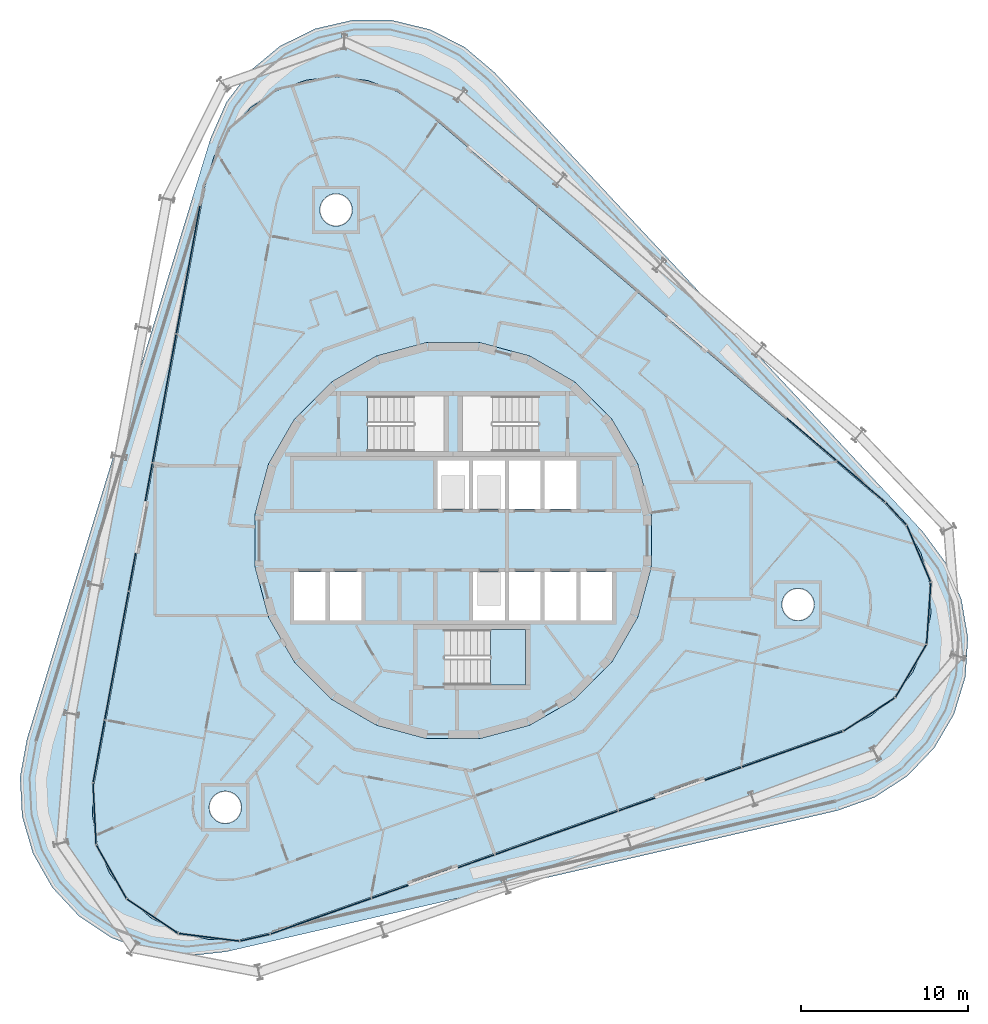
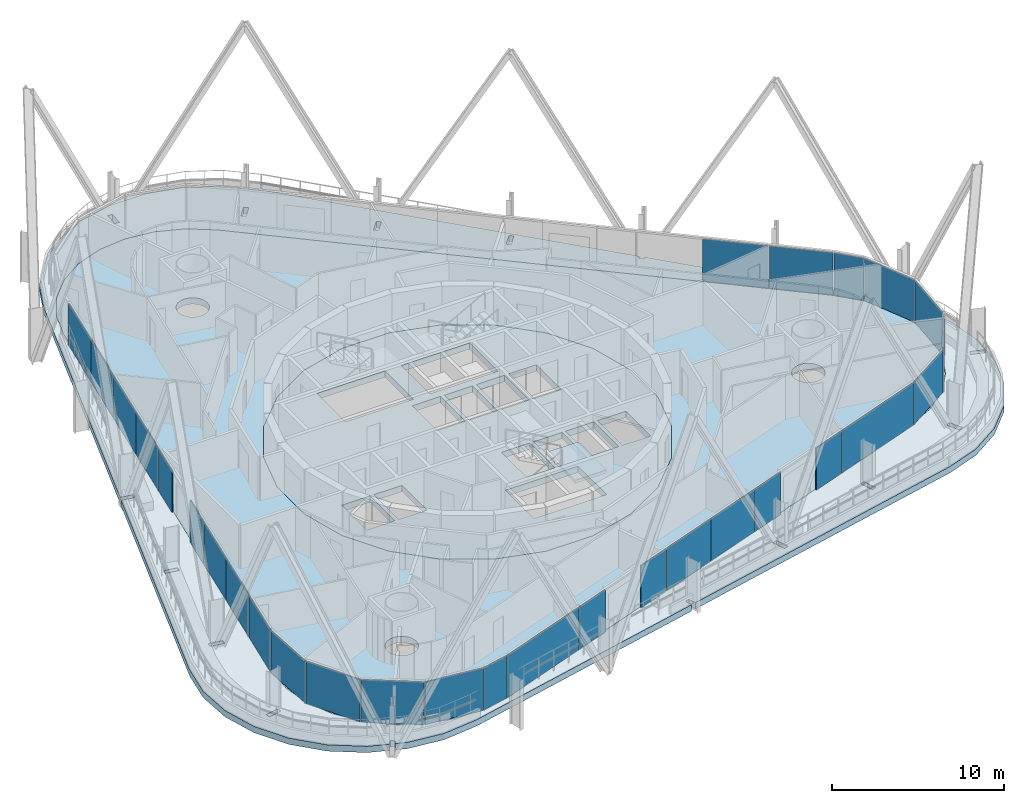
# One storey, part 9 of 25: 29 plates, 4 slabs, 6 elements without a shape of their own.
"""IFC4 building model written with IfcOpenShell, lengths in metres."""

from ifc_helpers import new_model, si_unit, direction, frame, origin, origin_2d, place, context, subcontext, project, spatial, polyline, rectangle, outline, extrude, material, layer, layer_set, type_object, element, aggregate, save


model = new_model("IFC4")

# Units and contexts
model_context = context("Model", 3, precision=1e-05, world=origin(), true_north=direction((0.0, 1.0)))
body_context = subcontext(model_context, "Body", "Model", "MODEL_VIEW")
ifc_project = project(units=[si_unit("LENGTHUNIT", "METRE"), si_unit("AREAUNIT", "SQUARE_METRE"), si_unit("VOLUMEUNIT", "CUBIC_METRE"), si_unit("PLANEANGLEUNIT", "RADIAN"), si_unit("MASSUNIT", "GRAM", prefix="KILO")], contexts=[model_context])

# Site, building, storey
site_placement = place(None, origin())
site = spatial("IfcSite", under=ifc_project, at=site_placement, CompositionType="ELEMENT")
building_placement = place(site_placement, origin())
building = spatial("IfcBuilding", under=site, at=building_placement, Name="Spindle Arch Residences", CompositionType="ELEMENT")
storey_placement = place(building_placement, frame((0.0, 0.0, 151.699951171875)))
storey = spatial("IfcBuildingStorey", under=building, at=storey_placement, Name="L37", CompositionType="ELEMENT", Elevation=151.699951171875)

# Slabs
ifc_material_1 = material(Name="Concrete C40/50", Category="concrete")
ifc_layer_1 = layer(ifc_material_1, 0.449951171875)
ifc_layer_set_1 = layer_set([ifc_layer_1], Name="Compartment floor slab 450")
slab_type_1 = type_object("IfcSlabType", Name="Compartment floor slab 450", PredefinedType="FLOOR", material=ifc_layer_set_1)
slab_1_placement = place(storey_placement, frame((0.0, 0.0, -0.449951171875)))
element("IfcSlab", 1, at=slab_1_placement, inside=storey, type_object=slab_type_1, Name="Floor slab L37", PredefinedType="FLOOR", context=body_context, shape_type="SweptSolid", body=[
    extrude(outline(polyline([(-12.82177734375, -23.972412109375), (-14.67919921875, -23.9560546875), (-16.48291015625, -23.511962890625), (-18.135498046875, -22.663818359375), (-19.5478515625, -21.45751953125), (-20.64404296875, -19.9580078125), (-21.36474609375, -18.24609375), (-21.67138671875, -16.4140625), (-21.547119140625, -14.560791015625), (-14.89794921875, 21.3154296875), (-14.349609375, 23.090087890625), (-13.406982421875, 24.690673828125), (-12.12060546875, 26.030517578125), (-10.559814453125, 27.03759765625), (-8.808837890625, 27.65771484375), (-6.962158203125, 27.857421875), (-5.119140625, 27.62548828125), (-3.37939453125, 26.97509765625), (-1.83642578125, 25.94091796875), (25.90869140625, 2.244384765625), (27.171630859375, 0.882080078125), (28.086181640625, -0.734619140625), (28.603515625, -2.5185546875), (28.6953125, -4.373779296875), (28.356689453125, -6.2001953125), (27.606201171875, -7.8994140625), (26.48388671875, -9.37939453125), (25.05078125, -10.56103515625), (23.383544921875, -11.380126953125), (6.186279296875, -17.469970703125), (-11.0107421875, -23.559814453125), (-12.82177734375, -23.972412109375)]), holes=[polyline([(7.30517578125, -9.520263671875), (9.520263671875, -7.30517578125), (11.086669921875, -4.59228515625), (11.897216796875, -1.56640625), (11.897216796875, 1.56640625), (11.086669921875, 4.59228515625), (9.520263671875, 7.30517578125), (7.30517578125, 9.520263671875), (4.59228515625, 11.086669921875), (1.56640625, 11.897216796875), (-1.56640625, 11.897216796875), (-4.59228515625, 11.086669921875), (-7.30517578125, 9.520263671875), (-9.520263671875, 7.30517578125), (-11.086669921875, 4.59228515625), (-11.897216796875, 1.56640625), (-11.897216796875, -1.56640625), (-11.086669921875, -4.59228515625), (-9.520263671875, -7.30517578125), (-7.30517578125, -9.520263671875), (-4.59228515625, -11.086669921875), (-1.56640625, -11.897216796875), (1.56640625, -11.897216796875), (4.59228515625, -11.086669921875), (7.30517578125, -9.520263671875)]), polyline([(-12.99169921875, -16.7080078125), (-12.87060546875, -16.560302734375), (-12.780517578125, -16.3916015625), (-12.724853515625, -16.208740234375), (-12.706298828125, -16.0185546875), (-12.724853515625, -15.828369140625), (-12.780517578125, -15.6455078125), (-12.87060546875, -15.476806640625), (-12.99169921875, -15.3291015625), (-13.139404296875, -15.2080078125), (-13.30810546875, -15.117919921875), (-13.490966796875, -15.062255859375), (-13.68115234375, -15.043701171875), (-13.871337890625, -15.062255859375), (-14.05419921875, -15.117919921875), (-14.222900390625, -15.2080078125), (-14.37060546875, -15.3291015625), (-14.491943359375, -15.476806640625), (-14.58203125, -15.6455078125), (-14.637451171875, -15.828369140625), (-14.65625, -16.0185546875), (-14.637451171875, -16.208740234375), (-14.58203125, -16.3916015625), (-14.491943359375, -16.560302734375), (-14.37060546875, -16.7080078125), (-14.222900390625, -16.829345703125), (-14.05419921875, -16.91943359375), (-13.871337890625, -16.974853515625), (-13.68115234375, -16.99365234375), (-13.490966796875, -16.974853515625), (-13.30810546875, -16.91943359375), (-13.139404296875, -16.829345703125), (-12.99169921875, -16.7080078125)]), polyline([(-6.22119140625, 19.31591796875), (-6.131103515625, 19.484619140625), (-6.07568359375, 19.66748046875), (-6.056884765625, 19.857666015625), (-6.07568359375, 20.0478515625), (-6.131103515625, 20.230712890625), (-6.22119140625, 20.3994140625), (-6.342529296875, 20.547119140625), (-6.490234375, 20.668212890625), (-6.65869140625, 20.75830078125), (-6.841796875, 20.81396484375), (-7.031982421875, 20.83251953125), (-7.22216796875, 20.81396484375), (-7.405029296875, 20.75830078125), (-7.573486328125, 20.668212890625), (-7.72119140625, 20.547119140625), (-7.842529296875, 20.3994140625), (-7.9326171875, 20.230712890625), (-7.98828125, 20.0478515625), (-8.0068359375, 19.857666015625), (-7.98828125, 19.66748046875), (-7.9326171875, 19.484619140625), (-7.842529296875, 19.31591796875), (-7.72119140625, 19.168212890625), (-7.573486328125, 19.046875), (-7.405029296875, 18.956787109375), (-7.22216796875, 18.9013671875), (-7.031982421875, 18.882568359375), (-6.841796875, 18.9013671875), (-6.65869140625, 18.956787109375), (-6.490234375, 19.046875), (-6.342529296875, 19.168212890625), (-6.22119140625, 19.31591796875)]), polyline([(21.523681640625, -4.380615234375), (21.614013671875, -4.212158203125), (21.66943359375, -4.029296875), (21.68798828125, -3.839111328125), (21.66943359375, -3.648681640625), (21.614013671875, -3.4658203125), (21.523681640625, -3.29736328125), (21.402587890625, -3.149658203125), (21.2548828125, -3.0283203125), (21.086181640625, -2.938232421875), (20.9033203125, -2.8828125), (20.713134765625, -2.864013671875), (20.52294921875, -2.8828125), (20.340087890625, -2.938232421875), (20.17138671875, -3.0283203125), (20.023681640625, -3.149658203125), (19.90234375, -3.29736328125), (19.812255859375, -3.4658203125), (19.7568359375, -3.648681640625), (19.738037109375, -3.839111328125), (19.7568359375, -4.029296875), (19.812255859375, -4.212158203125), (19.90234375, -4.380615234375), (20.023681640625, -4.5283203125), (20.17138671875, -4.649658203125), (20.340087890625, -4.73974609375), (20.52294921875, -4.79541015625), (20.713134765625, -4.81396484375), (20.9033203125, -4.79541015625), (21.086181640625, -4.73974609375), (21.2548828125, -4.649658203125), (21.402587890625, -4.5283203125), (21.523681640625, -4.380615234375)])]), origin(), (0.0, 0.0, 1.0), 0.449951171875),
])
ifc_material_2 = material(Name="Concrete C50/60", Category="concrete")
ifc_layer_2 = layer(ifc_material_2, 0.449951171875)
ifc_layer_set_2 = layer_set([ifc_layer_2], Name="Core floor slab 450")
slab_type_2 = type_object("IfcSlabType", Name="Core floor slab 450", PredefinedType="FLOOR", material=ifc_layer_set_2)
slab_2_placement = place(storey_placement, frame((0.0, 0.0, -0.449951171875)))
element("IfcSlab", 2, at=slab_2_placement, inside=storey, type_object=slab_type_2, Name="Core floor L37", PredefinedType="FLOOR", context=body_context, shape_type="SweptSolid", body=[
    extrude(outline(polyline([(1.56640625, -11.897216796875), (4.59228515625, -11.086669921875), (7.30517578125, -9.520263671875), (9.520263671875, -7.30517578125), (11.086669921875, -4.59228515625), (11.897216796875, -1.56640625), (11.897216796875, 1.56640625), (11.086669921875, 4.59228515625), (9.520263671875, 7.30517578125), (7.30517578125, 9.520263671875), (4.59228515625, 11.086669921875), (1.56640625, 11.897216796875), (-1.56640625, 11.897216796875), (-4.59228515625, 11.086669921875), (-7.30517578125, 9.520263671875), (-9.520263671875, 7.30517578125), (-11.086669921875, 4.59228515625), (-11.897216796875, 1.56640625), (-11.897216796875, -1.56640625), (-11.086669921875, -4.59228515625), (-9.520263671875, -7.30517578125), (-7.30517578125, -9.520263671875), (-4.59228515625, -11.086669921875), (-1.56640625, -11.897216796875), (1.56640625, -11.897216796875)]), holes=[polyline([(-0.949951171875, 1.89990234375), (0.949951171875, 1.89990234375), (0.949951171875, 4.800048828125), (-0.949951171875, 4.800048828125), (-0.949951171875, 1.89990234375)]), polyline([(1.199951171875, 1.89990234375), (3.10009765625, 1.89990234375), (3.10009765625, 4.800048828125), (1.199951171875, 4.800048828125), (1.199951171875, 1.89990234375)]), polyline([(3.35009765625, 1.89990234375), (5.25, 1.89990234375), (5.25, 4.800048828125), (3.35009765625, 4.800048828125), (3.35009765625, 1.89990234375)]), polyline([(5.5, 1.89990234375), (7.39990234375, 1.89990234375), (7.39990234375, 4.800048828125), (5.5, 4.800048828125), (5.5, 1.89990234375)]), polyline([(-9.550048828125, -4.800048828125), (-7.64990234375, -4.800048828125), (-7.64990234375, -1.89990234375), (-9.550048828125, -1.89990234375), (-9.550048828125, -4.800048828125)]), polyline([(-7.39990234375, -4.800048828125), (-5.5, -4.800048828125), (-5.5, -1.89990234375), (-7.39990234375, -1.89990234375), (-7.39990234375, -4.800048828125)]), polyline([(1.199951171875, -4.800048828125), (3.10009765625, -4.800048828125), (3.10009765625, -1.89990234375), (1.199951171875, -1.89990234375), (1.199951171875, -4.800048828125)]), polyline([(3.35009765625, -4.800048828125), (5.25, -4.800048828125), (5.25, -1.89990234375), (3.35009765625, -1.89990234375), (3.35009765625, -4.800048828125)]), polyline([(5.5, -4.800048828125), (7.39990234375, -4.800048828125), (7.39990234375, -1.89990234375), (5.5, -1.89990234375), (5.5, -4.800048828125)]), polyline([(7.64990234375, -4.800048828125), (9.550048828125, -4.800048828125), (9.550048828125, -1.89990234375), (7.64990234375, -1.89990234375), (7.64990234375, -4.800048828125)]), polyline([(5.1298828125, 8.669921875), (0.550048828125, 8.669921875), (0.550048828125, 5.35009765625), (5.1298828125, 5.35009765625), (5.1298828125, 8.669921875)]), polyline([(-5.1298828125, 5.35009765625), (-0.550048828125, 5.35009765625), (-0.550048828125, 8.669921875), (-5.1298828125, 8.669921875), (-5.1298828125, 5.35009765625)]), polyline([(-0.530029296875, -8.669921875), (4.35009765625, -8.669921875), (4.35009765625, -5.35009765625), (-0.530029296875, -5.35009765625), (-0.530029296875, -8.669921875)])]), origin(), (0.0, 0.0, 1.0), 0.449951171875),
])

# Stair, slab
ifc_material_3 = material(Name="Concrete C50/60", Category="concrete")
stair_type = type_object("IfcStairType", Name="Exit stair 16 risers", PredefinedType="HALF_TURN_STAIR", material=ifc_material_3)
stair_placement = place(storey_placement, origin())
stair = element("IfcStair", 3, at=stair_placement, inside=storey, type_object=stair_type, Name="L37 Exit stair ST3", PredefinedType="HALF_TURN_STAIR")
ifc_material_4 = material(Name="Concrete C50/60", Category="concrete")
ifc_layer_3 = layer(ifc_material_4, 0.219970703125)
ifc_layer_set_3 = layer_set([ifc_layer_3], Name="Exit stair landing 220")
slab_type_3 = type_object("IfcSlabType", Name="Exit stair landing 220", PredefinedType="LANDING", material=ifc_layer_set_3)
slab_3_placement = place(storey_placement, frame((0.0, 0.0, 1.530029296875)))
slab_3 = element("IfcSlab", 4, at=slab_3_placement, type_object=slab_type_3, Name="ST3 landing 1", PredefinedType="LANDING", context=body_context, shape_type="SweptSolid", body=[
    extrude(outline(polyline([(2.22998046875, -8.669921875), (4.35009765625, -8.669921875), (4.35009765625, -5.35009765625), (2.22998046875, -5.35009765625), (2.22998046875, -8.669921875)])), origin(), (0.0, 0.0, 1.0), 0.219970703125),
])
aggregate(stair, [slab_3])

# Slab
ifc_material_5 = material(Name="Concrete C40/50", Category="concrete")
ifc_layer_4 = layer(ifc_material_5, 0.449951171875)
ifc_layer_set_4 = layer_set([ifc_layer_4], Name="Terrace slab 450")
slab_type_4 = type_object("IfcSlabType", Name="Terrace slab 450", PredefinedType="FLOOR", material=ifc_layer_set_4)
slab_4_placement = place(storey_placement, frame((0.0, 0.0, -0.449951171875)))
element("IfcSlab", 5, at=slab_4_placement, inside=storey, type_object=slab_type_4, Name="Terrace slab L36", PredefinedType="FLOOR", context=body_context, shape_type="SweptSolid", body=[
    extrude(outline(polyline([(-15.989013671875, -24.955078125), (-18.316650390625, -24.669189453125), (-18.9755859375, -24.4248046875), (-18.821044921875, -24.187255859375), (-19.072509765625, -24.023681640625), (-19.26416015625, -24.318115234375), (-20.515380859375, -23.854248046875), (-22.46728515625, -22.55419921875), (-24.066650390625, -20.839111328125), (-25.227294921875, -18.801513671875), (-25.88671875, -16.551025390625), (-26.009521484375, -14.209228515625), (-25.5888671875, -11.902099609375), (-20.431640625, 4.966552734375), (-19.633544921875, 4.818603515625), (-19.578857421875, 5.113525390625), (-20.34326171875, 5.25537109375), (-14.55859375, 24.176513671875), (-13.6171875, 26.32421875), (-12.205810546875, 28.197265625), (-10.400634765625, 29.694091796875), (-8.299072265625, 30.734375), (-6.013916015625, 31.261962890625), (-3.6689453125, 31.248291015625), (-1.390380859375, 30.694091796875), (0.69921875, 29.62939453125), (2.48681640625, 28.11181640625), (18.11376953125, 11.35400390625), (17.974365234375, 11.190673828125), (18.202392578125, 10.995849609375), (18.319580078125, 11.133056640625), (28.216796875, 0.519775390625), (29.606201171875, -1.369384765625), (30.5224609375, -3.528076171875), (30.916259765625, -5.83984375), (30.76611328125, -8.18017578125), (30.08056640625, -10.422607421875), (28.896240234375, -12.44677734375), (27.277099609375, -14.14306640625), (25.310302734375, -15.42041015625), (23.10205078125, -16.20947265625), (4.721923828125, -20.452880859375), (3.34521484375, -20.770751953125), (3.174072265625, -20.287109375), (2.89111328125, -20.38720703125), (3.051025390625, -20.838623046875), (-13.658203125, -24.6962890625), (-15.989013671875, -24.955078125)]), holes=[polyline([(25.05078125, -10.56103515625), (26.48388671875, -9.37939453125), (27.606201171875, -7.8994140625), (28.356689453125, -6.2001953125), (28.6953125, -4.373779296875), (28.603515625, -2.5185546875), (28.086181640625, -0.734619140625), (27.171630859375, 0.882080078125), (25.90869140625, 2.244384765625), (-1.83642578125, 25.94091796875), (-3.37939453125, 26.97509765625), (-5.119140625, 27.62548828125), (-6.962158203125, 27.857421875), (-8.808837890625, 27.65771484375), (-10.559814453125, 27.03759765625), (-12.12060546875, 26.030517578125), (-13.406982421875, 24.690673828125), (-14.349609375, 23.090087890625), (-14.89794921875, 21.3154296875), (-21.547119140625, -14.560791015625), (-21.67138671875, -16.4140625), (-21.36474609375, -18.24609375), (-20.64404296875, -19.9580078125), (-19.5478515625, -21.45751953125), (-18.135498046875, -22.663818359375), (-16.48291015625, -23.511962890625), (-14.67919921875, -23.9560546875), (-12.82177734375, -23.972412109375), (-11.0107421875, -23.559814453125), (6.186279296875, -17.469970703125), (23.383544921875, -11.380126953125), (25.05078125, -10.56103515625)]), polyline([(-23.140380859375, -17.934814453125), (-24.01953125, -18.127197265625), (-23.955322265625, -18.420166015625), (-23.076171875, -18.227783203125), (-23.140380859375, -17.934814453125)]), polyline([(-22.443603515625, -10.34326171875), (-23.32861328125, -10.17919921875), (-23.38330078125, -10.474365234375), (-22.498291015625, -10.63818359375), (-22.443603515625, -10.34326171875)]), polyline([(-21.896240234375, -2.45068359375), (-21.950927734375, -2.745849609375), (-21.06591796875, -2.909912109375), (-21.01123046875, -2.61474609375), (-21.896240234375, -2.45068359375)]), polyline([(-6.41162109375, 29.48876953125), (-6.36767578125, 30.3876953125), (-6.66748046875, 30.40234375), (-6.711181640625, 29.50341796875), (-6.41162109375, 29.48876953125)]), polyline([(10.600830078125, -18.61181640625), (10.883544921875, -18.51171875), (10.583251953125, -17.663330078125), (10.30029296875, -17.763427734375), (10.600830078125, -18.61181640625)]), polyline([(18.010009765625, -15.988037109375), (18.29296875, -15.887939453125), (17.992431640625, -15.03955078125), (17.709716796875, -15.1396484375), (18.010009765625, -15.988037109375)]), polyline([(25.032958984375, -12.469482421875), (25.4482421875, -13.267822265625), (25.71435546875, -13.12939453125), (25.299072265625, -12.3310546875), (25.032958984375, -12.469482421875)]), polyline([(29.84814453125, -6.95263671875), (30.70458984375, -7.229736328125), (30.796875, -6.9443359375), (29.9404296875, -6.667236328125), (29.84814453125, -6.95263671875)]), polyline([(12.810302734375, 16.784912109375), (12.58203125, 16.979736328125), (11.99755859375, 16.29541015625), (12.2255859375, 16.1005859375), (12.810302734375, 16.784912109375)]), polyline([(6.248779296875, 21.205322265625), (6.833251953125, 21.8896484375), (6.605224609375, 22.08447265625), (6.020751953125, 21.400146484375), (6.248779296875, 21.205322265625)]), polyline([(0.27197265625, 26.31005859375), (0.8564453125, 26.994384765625), (0.62841796875, 27.189208984375), (0.0439453125, 26.5048828125), (0.27197265625, 26.31005859375)])]), origin(), (0.0, 0.0, 1.0), 0.449951171875),
])

# Curtain wall, plates
ifc_material_6 = material(Name="Aluminium bronze unitised frame with tinted glass", Category="aluminium")
ifc_layer_5 = layer(ifc_material_6, 0.159912109375)
ifc_layer_set_5 = layer_set([ifc_layer_5], Name="CW-D corner wall on the fillet arcs")
curtain_wall_type_1 = type_object("IfcCurtainWallType", Name="CW-D corner wall on the fillet arcs", PredefinedType="NOTDEFINED", material=ifc_layer_set_5)
curtain_wall_1_placement = place(storey_placement, origin())
curtain_wall_1 = element("IfcCurtainWall", 6, at=curtain_wall_1_placement, inside=storey, type_object=curtain_wall_type_1, Name="CW-D L37 run 1", PredefinedType="NOTDEFINED")
ifc_material_7 = material(Name="Tinted double glazing over aluminium faced non-combustible spandrel zone (K0)", Category="aluminium")
ifc_layer_6 = layer(ifc_material_7, 0.06005859375)
ifc_layer_set_6 = layer_set([ifc_layer_6], Name="Unitised glass panel with E 60 spandrel zone")
plate_type = type_object("IfcPlateType", Name="Unitised glass panel with E 60 spandrel zone", PredefinedType="CURTAIN_PANEL", material=ifc_layer_set_6)
plate_1_placement = place(storey_placement, frame((20.36865234375, -12.53271484375, -0.44970703125), z_axis=(0.0, 0.0, 1.0), x_axis=(0.942641491092, 0.333806859234, 0.0)))
plate_1 = element("IfcPlate", 7, at=plate_1_placement, type_object=plate_type, Name="CW-D unit 00", PredefinedType="CURTAIN_PANEL", context=body_context, shape_type="SweptSolid", body=[
    extrude(rectangle(XDim=6.3935546875, YDim=0.06005859375, at=origin_2d()), origin(), (0.0, 0.0, 1.0), 3.449951171875),
])
plate_2_placement = place(storey_placement, frame((24.97607421875, -10.445068359375, -0.44970703125), z_axis=(0.0, 0.0, 1.0), x_axis=(0.840251309898, 0.542197137778, 0.0)))
plate_2 = element("IfcPlate", 8, at=plate_2_placement, type_object=plate_type, Name="CW-D unit 01", PredefinedType="CURTAIN_PANEL", context=body_context, shape_type="SweptSolid", body=[
    extrude(rectangle(XDim=3.666748046875, YDim=0.06005859375, at=origin_2d()), origin(), (0.0, 0.0, 1.0), 3.449951171875),
])
plate_3_placement = place(storey_placement, frame((27.487548828125, -7.829345703125, -0.44970703125), z_axis=(0.0, 0.0, 1.0), x_axis=(0.507538365713, 0.86162915882, 0.0)))
plate_3 = element("IfcPlate", 9, at=plate_3_placement, type_object=plate_type, Name="CW-D unit 02", PredefinedType="CURTAIN_PANEL", context=body_context, shape_type="SweptSolid", body=[
    extrude(rectangle(XDim=3.666748046875, YDim=0.06005859375, at=origin_2d()), origin(), (0.0, 0.0, 1.0), 3.449951171875),
])
plate_4_placement = place(storey_placement, frame((28.557861328125, -4.364501953125, -0.44970703125), z_axis=(0.0, 0.0, 1.0), x_axis=(0.066854392204, 0.997762742461, 0.0)))
plate_4 = element("IfcPlate", 10, at=plate_4_placement, type_object=plate_type, Name="CW-D unit 03", PredefinedType="CURTAIN_PANEL", context=body_context, shape_type="SweptSolid", body=[
    extrude(rectangle(XDim=3.666748046875, YDim=0.06005859375, at=origin_2d()), origin(), (0.0, 0.0, 1.0), 3.449951171875),
])
plate_5_placement = place(storey_placement, frame((27.959228515625, -0.7880859375, -0.44970703125), z_axis=(0.0, 0.0, 1.0), x_axis=(-0.388051836633, 0.921637549195, 0.0)))
plate_5 = element("IfcPlate", 11, at=plate_5_placement, type_object=plate_type, Name="CW-D unit 04", PredefinedType="CURTAIN_PANEL", context=body_context, shape_type="SweptSolid", body=[
    extrude(rectangle(XDim=3.666748046875, YDim=0.06005859375, at=origin_2d()), origin(), (0.0, 0.0, 1.0), 3.449951171875),
])
plate_6_placement = place(storey_placement, frame((26.598388671875, 1.6171875, -0.44970703125), z_axis=(0.0, 0.0, 1.0), x_axis=(-0.679868057543, 0.733334455983, 0.0)))
plate_6 = element("IfcPlate", 12, at=plate_6_placement, type_object=plate_type, Name="CW-D unit 05", PredefinedType="CURTAIN_PANEL", context=body_context, shape_type="SweptSolid", body=[
    extrude(rectangle(XDim=1.816162109375, YDim=0.06005859375, at=origin_2d()), origin(), (0.0, 0.0, 1.0), 3.449951171875),
])
plate_7_placement = place(storey_placement, frame((24.503173828125, 3.550048828125, -0.44970703125), z_axis=(0.0, 0.0, 1.0), x_axis=(-0.7604059656, 0.64944804833, 0.0)))
plate_7 = element("IfcPlate", 13, at=plate_7_placement, type_object=plate_type, Name="CW-D unit 06", PredefinedType="CURTAIN_PANEL", context=body_context, shape_type="SweptSolid", body=[
    extrude(rectangle(XDim=3.7734375, YDim=0.06005859375, at=origin_2d()), origin(), (0.0, 0.0, 1.0), 3.449951171875),
])
aggregate(curtain_wall_1, [plate_1, plate_2, plate_3, plate_4, plate_5, plate_6, plate_7])

# Curtain wall, plate
ifc_material_8 = material(Name="Aluminium bronze unitised frame with tinted glass", Category="aluminium")
ifc_layer_7 = layer(ifc_material_8, 0.159912109375)
ifc_layer_set_7 = layer_set([ifc_layer_7], Name="CW-C typical residential unitised wall")
curtain_wall_type_2 = type_object("IfcCurtainWallType", Name="CW-C typical residential unitised wall", PredefinedType="NOTDEFINED", material=ifc_layer_set_7)
curtain_wall_2_placement = place(storey_placement, origin())
curtain_wall_2 = element("IfcCurtainWall", 14, at=curtain_wall_2_placement, inside=storey, type_object=curtain_wall_type_2, Name="CW-C L37 run 2", PredefinedType="NOTDEFINED")
plate_8_placement = place(storey_placement, frame((21.5400390625, 6.08056640625, -0.44970703125), z_axis=(0.0, 0.0, 1.0), x_axis=(-0.7604059656, 0.64944804833, 0.0)))
plate_8 = element("IfcPlate", 15, at=plate_8_placement, type_object=plate_type, Name="CW-C unit 05A", PredefinedType="CURTAIN_PANEL", context=body_context, shape_type="SweptSolid", body=[
    extrude(rectangle(XDim=3.900146484375, YDim=0.06005859375, at=origin_2d()), origin(), (0.0, 0.0, 1.0), 3.449951171875),
])
aggregate(curtain_wall_2, [plate_8])

# Curtain wall, plates
curtain_wall_3_placement = place(storey_placement, origin())
curtain_wall_3 = element("IfcCurtainWall", 16, at=curtain_wall_3_placement, inside=storey, type_object=curtain_wall_type_2, Name="CW-C L37 run 4", PredefinedType="NOTDEFINED")
plate_9_placement = place(storey_placement, frame((-15.55859375, 18.190185546875, -0.44970703125), z_axis=(0.0, 0.0, 1.0), x_axis=(-0.182235525492, -0.983254907564, 0.0)))
plate_9 = element("IfcPlate", 17, at=plate_9_placement, type_object=plate_type, Name="CW-C unit 12A", PredefinedType="CURTAIN_PANEL", context=body_context, shape_type="SweptSolid", body=[
    extrude(rectangle(XDim=3.900146484375, YDim=0.06005859375, at=origin_2d()), origin(), (0.0, 0.0, 1.0), 3.449951171875),
])
plate_10_placement = place(storey_placement, frame((-16.269287109375, 14.355224609375, -0.44970703125), z_axis=(0.0, 0.0, 1.0), x_axis=(-0.182235525492, -0.983254907564, 0.0)))
plate_10 = element("IfcPlate", 18, at=plate_10_placement, type_object=plate_type, Name="CW-C unit 12B", PredefinedType="CURTAIN_PANEL", context=body_context, shape_type="SweptSolid", body=[
    extrude(rectangle(XDim=3.900146484375, YDim=0.06005859375, at=origin_2d()), origin(), (0.0, 0.0, 1.0), 3.449951171875),
])
plate_11_placement = place(storey_placement, frame((-16.990966796875, 10.461669921875, -0.44970703125), z_axis=(0.0, 0.0, 1.0), x_axis=(-0.182235525492, -0.983254907564, 0.0)))
plate_11 = element("IfcPlate", 19, at=plate_11_placement, type_object=plate_type, Name="CW-C unit 13A", PredefinedType="CURTAIN_PANEL", context=body_context, shape_type="SweptSolid", body=[
    extrude(rectangle(XDim=3.900146484375, YDim=0.06005859375, at=origin_2d()), origin(), (0.0, 0.0, 1.0), 3.449951171875),
])
plate_12_placement = place(storey_placement, frame((-17.70166015625, 6.626953125, -0.44970703125), z_axis=(0.0, 0.0, 1.0), x_axis=(-0.182235525492, -0.983254907564, 0.0)))
plate_12 = element("IfcPlate", 20, at=plate_12_placement, type_object=plate_type, Name="CW-C unit 13B", PredefinedType="CURTAIN_PANEL", context=body_context, shape_type="SweptSolid", body=[
    extrude(rectangle(XDim=3.900146484375, YDim=0.06005859375, at=origin_2d()), origin(), (0.0, 0.0, 1.0), 3.449951171875),
])
plate_13_placement = place(storey_placement, frame((-18.277587890625, 3.519775390625, -0.44970703125), z_axis=(0.0, 0.0, 1.0), x_axis=(-0.182235525492, -0.983254907564, 0.0)))
plate_13 = element("IfcPlate", 21, at=plate_13_placement, type_object=plate_type, Name="CW-C unit 14L", PredefinedType="CURTAIN_PANEL", context=body_context, shape_type="SweptSolid", body=[
    extrude(rectangle(XDim=2.300048828125, YDim=0.06005859375, at=origin_2d()), origin(), (0.0, 0.0, 1.0), 3.449951171875),
])
plate_14_placement = place(storey_placement, frame((-19.27978515625, -1.88818359375, -0.44970703125), z_axis=(0.0, 0.0, 1.0), x_axis=(-0.182235525492, -0.983254907564, 0.0)))
plate_14 = element("IfcPlate", 22, at=plate_14_placement, type_object=plate_type, Name="CW-C unit 14R", PredefinedType="CURTAIN_PANEL", context=body_context, shape_type="SweptSolid", body=[
    extrude(rectangle(XDim=2.300048828125, YDim=0.06005859375, at=origin_2d()), origin(), (0.0, 0.0, 1.0), 3.449951171875),
])
plate_15_placement = place(storey_placement, frame((-19.855712890625, -4.995361328125, -0.44970703125), z_axis=(0.0, 0.0, 1.0), x_axis=(-0.182235525492, -0.983254907564, 0.0)))
plate_15 = element("IfcPlate", 23, at=plate_15_placement, type_object=plate_type, Name="CW-C unit 15A", PredefinedType="CURTAIN_PANEL", context=body_context, shape_type="SweptSolid", body=[
    extrude(rectangle(XDim=3.900146484375, YDim=0.06005859375, at=origin_2d()), origin(), (0.0, 0.0, 1.0), 3.449951171875),
])
plate_16_placement = place(storey_placement, frame((-20.56640625, -8.830078125, -0.44970703125), z_axis=(0.0, 0.0, 1.0), x_axis=(-0.182235525492, -0.983254907564, 0.0)))
plate_16 = element("IfcPlate", 24, at=plate_16_placement, type_object=plate_type, Name="CW-C unit 15B", PredefinedType="CURTAIN_PANEL", context=body_context, shape_type="SweptSolid", body=[
    extrude(rectangle(XDim=3.900146484375, YDim=0.06005859375, at=origin_2d()), origin(), (0.0, 0.0, 1.0), 3.449951171875),
])
aggregate(curtain_wall_3, [plate_9, plate_10, plate_11, plate_12, plate_13, plate_14, plate_15, plate_16])

curtain_wall_4_placement = place(storey_placement, origin())
curtain_wall_4 = element("IfcCurtainWall", 25, at=curtain_wall_4_placement, inside=storey, type_object=curtain_wall_type_1, Name="CW-D L37 run 5", PredefinedType="NOTDEFINED")
plate_17_placement = place(storey_placement, frame((-21.276611328125, -12.66162109375, -0.44970703125), z_axis=(0.0, 0.0, 1.0), x_axis=(-0.182235525492, -0.983254907564, 0.0)))
plate_17 = element("IfcPlate", 26, at=plate_17_placement, type_object=plate_type, Name="CW-D unit 00", PredefinedType="CURTAIN_PANEL", context=body_context, shape_type="SweptSolid", body=[
    extrude(rectangle(XDim=3.7734375, YDim=0.06005859375, at=origin_2d()), origin(), (0.0, 0.0, 1.0), 3.449951171875),
])
plate_18_placement = place(storey_placement, frame((-21.53369140625, -16.4072265625, -0.44970703125), z_axis=(0.0, 0.0, 1.0), x_axis=(0.049430843939, -0.99877754864, 0.0)))
plate_18 = element("IfcPlate", 27, at=plate_18_placement, type_object=plate_type, Name="CW-D unit 01", PredefinedType="CURTAIN_PANEL", context=body_context, shape_type="SweptSolid", body=[
    extrude(rectangle(XDim=3.666748046875, YDim=0.06005859375, at=origin_2d()), origin(), (0.0, 0.0, 1.0), 3.449951171875),
])
plate_19_placement = place(storey_placement, frame((-20.524169921875, -19.89013671875, -0.44970703125), z_axis=(0.0, 0.0, 1.0), x_axis=(0.492423562185, -0.870355694762, 0.0)))
plate_19 = element("IfcPlate", 28, at=plate_19_placement, type_object=plate_type, Name="CW-D unit 02", PredefinedType="CURTAIN_PANEL", context=body_context, shape_type="SweptSolid", body=[
    extrude(rectangle(XDim=3.666748046875, YDim=0.06005859375, at=origin_2d()), origin(), (0.0, 0.0, 1.0), 3.449951171875),
])
plate_20_placement = place(storey_placement, frame((-18.05859375, -22.549560546875, -0.44970703125), z_axis=(0.0, 0.0, 1.0), x_axis=(0.830660688705, -0.556778968928, 0.0)))
plate_20 = element("IfcPlate", 29, at=plate_20_placement, type_object=plate_type, Name="CW-D unit 03", PredefinedType="CURTAIN_PANEL", context=body_context, shape_type="SweptSolid", body=[
    extrude(rectangle(XDim=3.666748046875, YDim=0.06005859375, at=origin_2d()), origin(), (0.0, 0.0, 1.0), 3.449951171875),
])
plate_21_placement = place(storey_placement, frame((-14.662109375, -23.8193359375, -0.44970703125), z_axis=(0.0, 0.0, 1.0), x_axis=(0.992187449327, -0.12475602349, 0.0)))
plate_21 = element("IfcPlate", 30, at=plate_21_placement, type_object=plate_type, Name="CW-D unit 04", PredefinedType="CURTAIN_PANEL", context=body_context, shape_type="SweptSolid", body=[
    extrude(rectangle(XDim=3.666748046875, YDim=0.06005859375, at=origin_2d()), origin(), (0.0, 0.0, 1.0), 3.449951171875),
])
plate_22_placement = place(storey_placement, frame((-11.898681640625, -23.843505859375, -0.44970703125), z_axis=(0.0, 0.0, 1.0), x_axis=(0.975020297465, 0.222115779565, 0.0)))
plate_22 = element("IfcPlate", 31, at=plate_22_placement, type_object=plate_type, Name="CW-D unit 05", PredefinedType="CURTAIN_PANEL", context=body_context, shape_type="SweptSolid", body=[
    extrude(rectangle(XDim=1.816162109375, YDim=0.06005859375, at=origin_2d()), origin(), (0.0, 0.0, 1.0), 3.449951171875),
])
plate_23_placement = place(storey_placement, frame((-7.9423828125, -22.55810546875, -0.44970703125), z_axis=(0.0, 0.0, 1.0), x_axis=(0.942641491092, 0.333806859234, 0.0)))
plate_23 = element("IfcPlate", 32, at=plate_23_placement, type_object=plate_type, Name="CW-D unit 06", PredefinedType="CURTAIN_PANEL", context=body_context, shape_type="SweptSolid", body=[
    extrude(rectangle(XDim=6.3935546875, YDim=0.06005859375, at=origin_2d()), origin(), (0.0, 0.0, 1.0), 3.449951171875),
])
aggregate(curtain_wall_4, [plate_17, plate_18, plate_19, plate_20, plate_21, plate_22, plate_23])

curtain_wall_5_placement = place(storey_placement, origin())
curtain_wall_5 = element("IfcCurtainWall", 33, at=curtain_wall_5_placement, inside=storey, type_object=curtain_wall_type_2, Name="CW-C L37 run 6", PredefinedType="NOTDEFINED")
plate_24_placement = place(storey_placement, frame((-3.788330078125, -21.087158203125, -0.44970703125), z_axis=(0.0, 0.0, 1.0), x_axis=(0.942641491092, 0.333806859234, 0.0)))
plate_24 = element("IfcPlate", 34, at=plate_24_placement, type_object=plate_type, Name="CW-C unit 20L", PredefinedType="CURTAIN_PANEL", context=body_context, shape_type="SweptSolid", body=[
    extrude(rectangle(XDim=2.300048828125, YDim=0.06005859375, at=origin_2d()), origin(), (0.0, 0.0, 1.0), 3.449951171875),
])
plate_25_placement = place(storey_placement, frame((1.396240234375, -19.251220703125, -0.44970703125), z_axis=(0.0, 0.0, 1.0), x_axis=(0.942641491092, 0.333806859234, 0.0)))
plate_25 = element("IfcPlate", 35, at=plate_25_placement, type_object=plate_type, Name="CW-C unit 20R", PredefinedType="CURTAIN_PANEL", context=body_context, shape_type="SweptSolid", body=[
    extrude(rectangle(XDim=2.300048828125, YDim=0.06005859375, at=origin_2d()), origin(), (0.0, 0.0, 1.0), 3.449951171875),
])
plate_26_placement = place(storey_placement, frame((4.375, -18.1962890625, -0.44970703125), z_axis=(0.0, 0.0, 1.0), x_axis=(0.942641491092, 0.333806859234, 0.0)))
plate_26 = element("IfcPlate", 36, at=plate_26_placement, type_object=plate_type, Name="CW-C unit 21A", PredefinedType="CURTAIN_PANEL", context=body_context, shape_type="SweptSolid", body=[
    extrude(rectangle(XDim=3.900146484375, YDim=0.06005859375, at=origin_2d()), origin(), (0.0, 0.0, 1.0), 3.449951171875),
])
plate_27_placement = place(storey_placement, frame((8.05126953125, -16.894287109375, -0.44970703125), z_axis=(0.0, 0.0, 1.0), x_axis=(0.942641491092, 0.333806859234, 0.0)))
plate_27 = element("IfcPlate", 37, at=plate_27_placement, type_object=plate_type, Name="CW-C unit 21B", PredefinedType="CURTAIN_PANEL", context=body_context, shape_type="SweptSolid", body=[
    extrude(rectangle(XDim=3.900146484375, YDim=0.06005859375, at=origin_2d()), origin(), (0.0, 0.0, 1.0), 3.449951171875),
])
plate_28_placement = place(storey_placement, frame((11.030029296875, -15.839599609375, -0.44970703125), z_axis=(0.0, 0.0, 1.0), x_axis=(0.942641491092, 0.333806859234, 0.0)))
plate_28 = element("IfcPlate", 38, at=plate_28_placement, type_object=plate_type, Name="CW-C unit 00L", PredefinedType="CURTAIN_PANEL", context=body_context, shape_type="SweptSolid", body=[
    extrude(rectangle(XDim=2.300048828125, YDim=0.06005859375, at=origin_2d()), origin(), (0.0, 0.0, 1.0), 3.449951171875),
])
plate_29_placement = place(storey_placement, frame((16.214599609375, -14.003662109375, -0.44970703125), z_axis=(0.0, 0.0, 1.0), x_axis=(0.942641491092, 0.333806859234, 0.0)))
plate_29 = element("IfcPlate", 39, at=plate_29_placement, type_object=plate_type, Name="CW-C unit 00R", PredefinedType="CURTAIN_PANEL", context=body_context, shape_type="SweptSolid", body=[
    extrude(rectangle(XDim=2.300048828125, YDim=0.06005859375, at=origin_2d()), origin(), (0.0, 0.0, 1.0), 3.449951171875),
])
aggregate(curtain_wall_5, [plate_24, plate_25, plate_26, plate_27, plate_28, plate_29])

save(model, "model.ifc")
